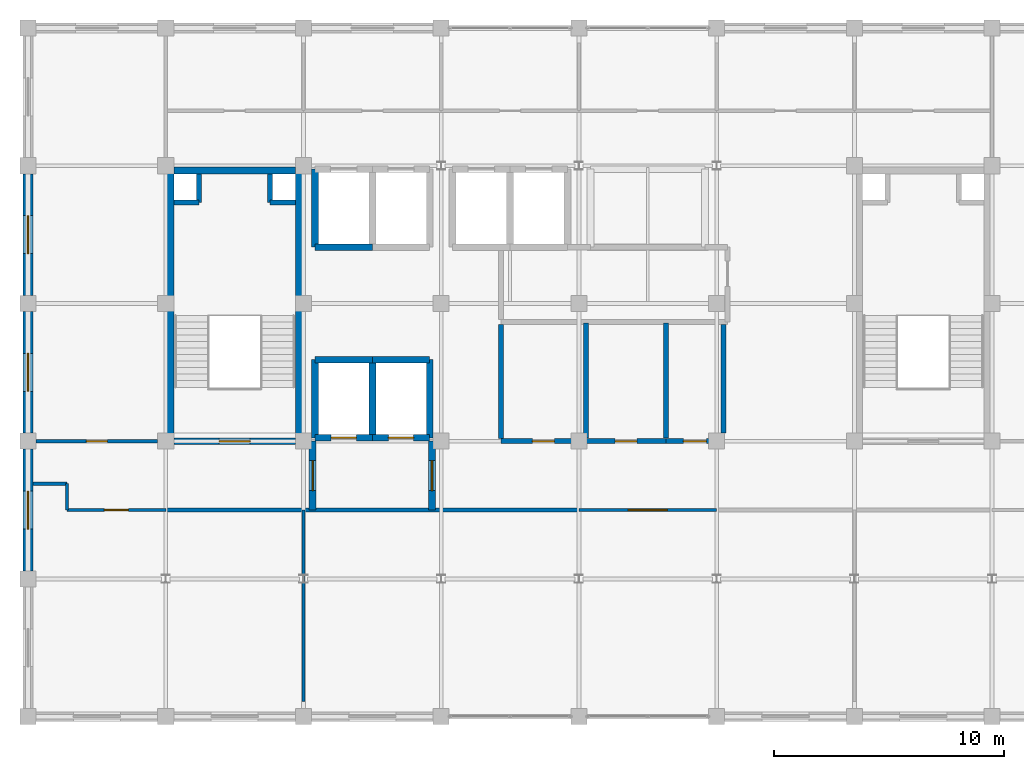
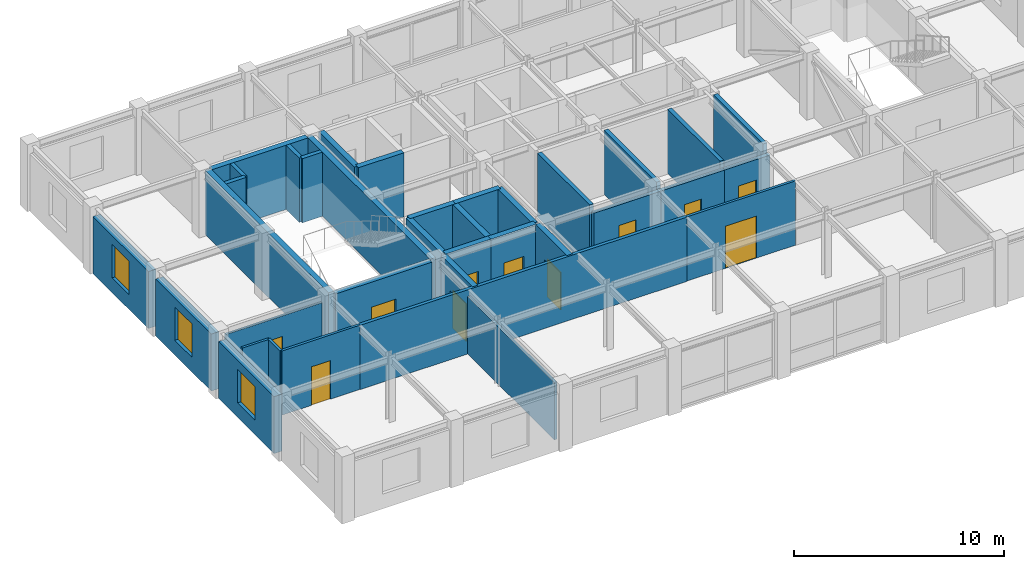
# One storey, part 9 of 13: 36 walls, 11 doors, 3 windows, 14 openings.
"""IFC4 building model written with IfcOpenShell, lengths in metres."""

import ifcopenshell
import ifcopenshell.guid

model = None  # the IFC model being written
_history = None  # IfcOwnerHistory: only IFC2X3 demands one
_inside = {}  # id of a spatial element -> (the spatial element, [elements in it])
_under = {}  # id of a project, library or spatial element -> (it, [spatial elements below it])
_declared = {}  # id of a project -> (the project, [libraries it declares])
_typed = {}  # id of a type object -> (the type object, [elements of that type])
_made_of = {}  # id of a material, layer set ... -> (it, [elements and type objects made of it])


def new_model(schema):
    """Start an empty IFC model of exactly this schema.

    Asked for "IFC4X3", IfcOpenShell would pick the latest addendum, in which some entities
    have other attributes; the version numbers below select the first issue.
    IFC2X3 requires an IfcOwnerHistory on every rooted entity: one is made here for all.
    """
    global model, _history
    if schema == "IFC4X3":
        model = ifcopenshell.file(schema_version=(4, 3, 0, 0))
    else:
        model = ifcopenshell.file(schema=schema)
    _inside.clear()
    _under.clear()
    _declared.clear()
    _typed.clear()
    _made_of.clear()
    _history = None
    if model.schema == "IFC2X3":
        org = make("IfcOrganization", Name="unknown")
        user = make(
            "IfcPersonAndOrganization",
            ThePerson=make("IfcPerson", FamilyName="unknown"),
            TheOrganization=org,
        )
        app = make(
            "IfcApplication",
            ApplicationDeveloper=org,
            Version="unknown",
            ApplicationFullName="unknown",
            ApplicationIdentifier="unknown",
        )
        _history = make(
            "IfcOwnerHistory",
            OwningUser=user,
            OwningApplication=app,
            ChangeAction="ADDED",
            CreationDate=0,
        )
    return model


def make(cls, **values):
    """One entity of the class cls with the attributes given. An attribute that is None is left unset."""
    return model.create_entity(
        cls, **{name: value for name, value in values.items() if value is not None}
    )


def rooted(cls, **values):
    """An entity with a GlobalId (a new one), such as an element, a storey or a relation."""
    return make(cls, GlobalId=ifcopenshell.guid.new(), OwnerHistory=_history, **values)


def si_unit(unit_type, name, prefix=None):
    """IfcSIUnit, for example si_unit("LENGTHUNIT", "METRE", prefix="MILLI")."""
    return make("IfcSIUnit", UnitType=unit_type, Prefix=prefix, Name=name)


def assignment(units):
    """IfcUnitAssignment: the units of a project."""
    return None if units is None else make("IfcUnitAssignment", Units=units)


def point(xyz):
    """IfcCartesianPoint."""
    return None if xyz is None else make("IfcCartesianPoint", Coordinates=xyz)


def direction(xyz):
    """IfcDirection."""
    return None if xyz is None else make("IfcDirection", DirectionRatios=xyz)


def frame(location, z_axis=None, x_axis=None):
    """IfcAxis2Placement3D, a coordinate frame: its origin and axes. An axis left out is left unset."""
    return make(
        "IfcAxis2Placement3D",
        Location=point(location),
        Axis=direction(z_axis),
        RefDirection=direction(x_axis),
    )


def frame_2d(location, x_axis=None):
    """IfcAxis2Placement2D, a coordinate frame in the plane: its origin and x axis."""
    return make(
        "IfcAxis2Placement2D", Location=point(location), RefDirection=direction(x_axis)
    )


def origin():
    """The frame at (0, 0, 0) with its axes left unset."""
    return frame((0.0, 0.0, 0.0))


def place(relative_to, where):
    """IfcLocalPlacement: puts the frame where relative to a parent placement (None: the world)."""
    return make(
        "IfcLocalPlacement", PlacementRelTo=relative_to, RelativePlacement=where
    )


def context(
    kind, dimensions, precision=None, world=None, true_north=None, identifier=None
):
    """IfcGeometricRepresentationContext, for example the 3D "Model" context."""
    return make(
        "IfcGeometricRepresentationContext",
        ContextIdentifier=identifier,
        ContextType=kind,
        CoordinateSpaceDimension=dimensions,
        Precision=precision,
        WorldCoordinateSystem=world,
        TrueNorth=true_north,
    )


def subcontext(parent, identifier, kind, view, scale=None):
    """IfcGeometricRepresentationSubContext, for example "Body" below "Model"."""
    return make(
        "IfcGeometricRepresentationSubContext",
        ContextIdentifier=identifier,
        ContextType=kind,
        ParentContext=parent,
        TargetScale=scale,
        TargetView=view,
    )


def project(units=None, contexts=None):
    """IfcProject with its units and contexts."""
    return rooted(
        "IfcProject",
        Name="project",
        RepresentationContexts=contexts,
        UnitsInContext=assignment(units),
    )


def spatial(cls, under=None, at=None, **own):
    """A site, building, storey or space (cls), placed at a placement, below another one or the project."""
    s = rooted(cls, ObjectPlacement=at, **own)
    if under is not None:
        _under.setdefault(under.id(), (under, []))[1].append(s)
    return s


def profile(cls, at=None, kind="AREA", **sizes):
    """A parametric profile (cls). Its sizes go by their IFC names, for example OverallWidth=200.0."""
    return make(cls, ProfileType=kind, Position=at, **sizes)


def rectangle(**sizes):
    """IfcRectangleProfileDef."""
    return profile("IfcRectangleProfileDef", **sizes)


def extrude(swept, where, along, depth):
    """IfcExtrudedAreaSolid: the profile swept, set in the frame where, extruded along a direction by depth."""
    return make(
        "IfcExtrudedAreaSolid",
        SweptArea=swept,
        Position=where,
        ExtrudedDirection=direction(along),
        Depth=depth,
    )


def shape(context_of_items, identifier, shape_type, items):
    """IfcShapeRepresentation: the items that make up one representation, for example the "Body"."""
    return make(
        "IfcShapeRepresentation",
        ContextOfItems=context_of_items,
        RepresentationIdentifier=identifier,
        RepresentationType=shape_type,
        Items=items,
    )


def material(Name=None, Category=None):
    """IfcMaterial."""
    return make("IfcMaterial", Name=Name, Category=Category)


def layer(
    of_material, thickness, ventilated=None, Name=None, Category=None, Priority=None
):
    """IfcMaterialLayer: one layer of a wall or slab, of a material (None: an air gap)."""
    return make(
        "IfcMaterialLayer",
        Material=of_material,
        LayerThickness=thickness,
        IsVentilated=ventilated,
        Name=Name,
        Category=Category,
        Priority=Priority,
    )


def layer_set(layers, Name=None):
    """IfcMaterialLayerSet."""
    return make("IfcMaterialLayerSet", MaterialLayers=layers, LayerSetName=Name)


def made_of(thing, what):
    """Note that an element or type object is made of a material, layer set ...; save() writes the relation."""
    if what is not None:
        _made_of.setdefault(what.id(), (what, []))[1].append(thing)
    return thing


def type_object(cls, material=None, **own):
    """A type object (cls), such as IfcWallType, which elements share."""
    return made_of(rooted(cls, **own), material)


def element(
    cls,
    number,
    at=None,
    inside=None,
    cuts=None,
    type_object=None,
    material=None,
    context=None,
    identifier="Body",
    shape_type=None,
    held_by="IfcProductDefinitionShape",
    body=None,
    shapes=None,
    **own,
):
    """One element of the class cls, such as IfcWall. Its Tag is "e" and its number.

    at: its placement. inside: the storey or other place that contains it. cuts: it is an
    opening in that element (IfcRelVoidsElement). A single representation is given by context,
    identifier, shape_type and body (its items); several are given by shapes. held_by: the class
    of the entity that holds the representations. save() writes the other relations.
    """
    e = rooted(cls, Tag="e%d" % number, ObjectPlacement=at, **own)
    if body is not None:
        shapes = [shape(context, identifier, shape_type, body)]
    if shapes is not None:
        e.Representation = make(held_by, Representations=shapes)
    if inside is not None:
        _inside.setdefault(inside.id(), (inside, []))[1].append(e)
    if cuts is not None:
        rooted(
            "IfcRelVoidsElement", RelatingBuildingElement=cuts, RelatedOpeningElement=e
        )
    if type_object is not None:
        _typed.setdefault(type_object.id(), (type_object, []))[1].append(e)
    return made_of(e, material)


def fill(opening, filler):
    """IfcRelFillsElement: the door or window that sits in an opening."""
    return rooted(
        "IfcRelFillsElement",
        RelatingOpeningElement=opening,
        RelatedBuildingElement=filler,
    )


def aggregate(whole, parts):
    """IfcRelAggregates: a whole, such as a stair, and the parts it consists of."""
    return rooted("IfcRelAggregates", RelatingObject=whole, RelatedObjects=parts)


def save(model, path):
    """Write the relations noted so far, then the file.

    IfcRelAggregates (storeys below a building ...), IfcRelContainedInSpatialStructure (elements
    in a storey), IfcRelDefinesByType, IfcRelAssociatesMaterial and IfcRelDeclares: one each for
    every whole, place, type object, material and project.
    """
    for whole, parts in _under.values():
        aggregate(whole, parts)
    for where, things in _inside.values():
        rooted(
            "IfcRelContainedInSpatialStructure",
            RelatedElements=things,
            RelatingStructure=where,
        )
    for kind, things in _typed.values():
        rooted("IfcRelDefinesByType", RelatedObjects=things, RelatingType=kind)
    for what, things in _made_of.values():
        rooted("IfcRelAssociatesMaterial", RelatedObjects=things, RelatingMaterial=what)
    for by, libraries in _declared.values():
        rooted("IfcRelDeclares", RelatingContext=by, RelatedDefinitions=libraries)
    model.write(path)


model = new_model("IFC4")

# Units and contexts
model_context = context("Model", 3, precision=1e-05, world=origin(), true_north=direction((0.0, 1.0)))
body_context = subcontext(model_context, "Body", "Model", "MODEL_VIEW")
ifc_project = project(units=[si_unit("LENGTHUNIT", "METRE"), si_unit("AREAUNIT", "SQUARE_METRE"), si_unit("VOLUMEUNIT", "CUBIC_METRE"), si_unit("PLANEANGLEUNIT", "RADIAN"), si_unit("MASSUNIT", "GRAM", prefix="KILO")], contexts=[model_context])

# Site, building, storey
site_placement = place(None, origin())
site = spatial("IfcSite", under=ifc_project, at=site_placement, CompositionType="ELEMENT")
building_placement = place(site_placement, origin())
building = spatial("IfcBuilding", under=site, at=building_placement, Name="Zlatovratsky Civic Hall", CompositionType="ELEMENT")
storey_placement = place(building_placement, frame((0.0, 0.0, 44.39990234375)))
storey = spatial("IfcBuildingStorey", under=building, at=storey_placement, Name="L11", CompositionType="ELEMENT", Elevation=44.39990234375)

# Wall
ifc_material_1 = material(Name="Acoustic ceramic blockwork", Category="masonry")
ifc_layer_1 = layer(ifc_material_1, 0.179931640625)
ifc_layer_set_1 = layer_set([ifc_layer_1], Name="Acoustic ceramic blockwork")
wall_type_1 = type_object("IfcWallType", Name="Wall_AcousticChamberPartition_180", PredefinedType="PARTITIONING", material=ifc_layer_set_1)
wall_1_placement = place(storey_placement, frame((66.0, 81.0, 0.0), z_axis=(0.0, 0.0, 1.0), x_axis=(1.0, 0.0, 0.0)))
element("IfcWall", 1, at=wall_1_placement, inside=storey, type_object=wall_type_1, Name="WL-6556", PredefinedType="PARTITIONING", context=body_context, shape_type="SweptSolid", body=[
    extrude(rectangle(XDim=18.0, YDim=0.179931640625, at=frame_2d((9.0, 0.0))), origin(), (0.0, 0.0, 1.0), 3.739990234375),
])

# Wall, opening, door
ifc_material_2 = material(Name="Fire-rated gypsum board framing", Category="gypsum")
ifc_layer_2 = layer(ifc_material_2, 0.139892578125)
ifc_layer_set_2 = layer_set([ifc_layer_2], Name="Fire-rated gypsum board framing")
wall_type_2 = type_object("IfcWallType", Name="Wall_OfficePartition_140", PredefinedType="PARTITIONING", material=ifc_layer_set_2)
wall_2_placement = place(storey_placement, frame((61.699951171875, 81.0, 0.0), z_axis=(0.0, 0.0, 1.0), x_axis=(1.0, 0.0, 0.0)))
wall_2 = element("IfcWall", 2, at=wall_2_placement, inside=storey, type_object=wall_type_2, Name="WL-6532", PredefinedType="PARTITIONING", context=body_context, shape_type="SweptSolid", body=[
    extrude(rectangle(XDim=4.300048828125, YDim=0.139892578125, at=frame_2d((2.14990234375, 0.0))), origin(), (0.0, 0.0, 1.0), 3.739990234375),
])
opening_1_placement = place(wall_2_placement, frame((1.625, 0.0, 0.0)))
opening_1 = element("IfcOpeningElement", 3, at=opening_1_placement, cuts=wall_2, Name="Opening D-24", PredefinedType="OPENING", context=body_context, shape_type="SweptSolid", body=[
    extrude(rectangle(XDim=1.050048828125, YDim=2.25, at=frame_2d((0.52490234375, 1.125))), frame((0.0, 0.0849609375, 0.0), z_axis=(0.0, -1.0, 0.0), x_axis=(1.0, 0.0, 0.0)), (0.0, 0.0, 1.0), 0.169677734375),
])
ifc_material_3 = material(Name="Solid oak joinery in steel frame", Category="steel")
door_type_1 = type_object("IfcDoorType", Name="Door_DirectorateOffice_1050x2250", OperationType="NOTDEFINED", PredefinedType="DOOR", material=ifc_material_3)
door_1_placement = place(opening_1_placement, origin())
door_1 = element("IfcDoor", 4, at=door_1_placement, inside=storey, type_object=door_type_1, Name="DR-5456", OperationType="SINGLE_SWING_LEFT", OverallHeight=2.25, OverallWidth=1.050048828125, PredefinedType="DOOR", context=body_context, shape_type="SweptSolid", body=[
    extrude(rectangle(XDim=1.050048828125, YDim=2.25, at=frame_2d((0.52490234375, 1.125))), frame((0.0, 0.02490234375, 0.0), z_axis=(0.0, -1.0, 0.0), x_axis=(1.0, 0.0, 0.0)), (0.0, 0.0, 1.0), 0.050048828125),
])
fill(opening_1, door_1)

wall_3_placement = place(storey_placement, frame((84.0, 81.0, 0.0), z_axis=(0.0, 0.0, 1.0), x_axis=(1.0, 0.0, 0.0)))
wall_3 = element("IfcWall", 5, at=wall_3_placement, inside=storey, type_object=wall_type_2, Name="WL-6533", PredefinedType="PARTITIONING", context=body_context, shape_type="SweptSolid", body=[
    extrude(rectangle(XDim=6.0, YDim=0.139892578125, at=frame_2d((3.0, 0.0))), origin(), (0.0, 0.0, 1.0), 3.739990234375),
])
opening_2_placement = place(wall_3_placement, frame((2.14990234375, 0.0, 0.0)))
opening_2 = element("IfcOpeningElement", 6, at=opening_2_placement, cuts=wall_3, Name="Opening D-26", PredefinedType="OPENING", context=body_context, shape_type="SweptSolid", body=[
    extrude(rectangle(XDim=1.699951171875, YDim=2.449951171875, at=frame_2d((0.85009765625, 1.22509765625))), frame((0.0, 0.0849609375, 0.0), z_axis=(0.0, -1.0, 0.0), x_axis=(1.0, 0.0, 0.0)), (0.0, 0.0, 1.0), 0.169677734375),
])
door_type_2 = type_object("IfcDoorType", Name="Door_CommissionBoardroom_1700x2450", OperationType="DOUBLE_DOOR_SINGLE_SWING", PredefinedType="DOOR", material=ifc_material_3)
door_2_placement = place(opening_2_placement, origin())
door_2 = element("IfcDoor", 7, at=door_2_placement, inside=storey, type_object=door_type_2, Name="DR-5457", OperationType="DOUBLE_DOOR_SINGLE_SWING", OverallHeight=2.449951171875, OverallWidth=1.699951171875, PredefinedType="DOOR", context=body_context, shape_type="SweptSolid", body=[
    extrude(rectangle(XDim=1.699951171875, YDim=2.449951171875, at=frame_2d((0.85009765625, 1.22509765625))), frame((0.0, 0.02490234375, 0.0), z_axis=(0.0, -1.0, 0.0), x_axis=(1.0, 0.0, 0.0)), (0.0, 0.0, 1.0), 0.050048828125),
])
fill(opening_2, door_2)

wall_4_placement = place(storey_placement, frame((60.35009765625, 84.0, 0.0), z_axis=(0.0, 0.0, 1.0), x_axis=(1.0, 0.0, 0.0)))
wall_4 = element("IfcWall", 8, at=wall_4_placement, inside=storey, type_object=wall_type_2, Name="WL-6535", PredefinedType="PARTITIONING", context=body_context, shape_type="SweptSolid", body=[
    extrude(rectangle(XDim=5.2998046875, YDim=0.139892578125, at=frame_2d((2.64990234375, 0.0))), origin(), (0.0, 0.0, 1.0), 3.34814453125),
])
opening_3_placement = place(wall_4_placement, frame((2.18994140625, 0.0, 0.0)))
opening_3 = element("IfcOpeningElement", 9, at=opening_3_placement, cuts=wall_4, Name="Opening D-23", PredefinedType="OPENING", context=body_context, shape_type="SweptSolid", body=[
    extrude(rectangle(XDim=0.919921875, YDim=2.14990234375, at=frame_2d((0.4599609375, 1.074951171875))), frame((0.0, 0.0849609375, 0.0), z_axis=(0.0, -1.0, 0.0), x_axis=(1.0, 0.0, 0.0)), (0.0, 0.0, 1.0), 0.169677734375),
])
door_type_3 = type_object("IfcDoorType", Name="Door_OfficeStandard_920x2150", OperationType="NOTDEFINED", PredefinedType="DOOR", material=ifc_material_3)
door_3_placement = place(opening_3_placement, origin())
door_3 = element("IfcDoor", 10, at=door_3_placement, inside=storey, type_object=door_type_3, Name="DR-5459", OperationType="SINGLE_SWING_LEFT", OverallHeight=2.14990234375, OverallWidth=0.919921875, PredefinedType="DOOR", context=body_context, shape_type="SweptSolid", body=[
    extrude(rectangle(XDim=0.919921875, YDim=2.14990234375, at=frame_2d((0.4599609375, 1.074951171875))), frame((0.0, 0.02490234375, 0.0), z_axis=(0.0, -1.0, 0.0), x_axis=(1.0, 0.0, 0.0)), (0.0, 0.0, 1.0), 0.050048828125),
])
fill(opening_3, door_3)

# Walls
wall_5_placement = place(storey_placement, frame((72.0, 72.64990234375, 0.0), z_axis=(0.0, 0.0, 1.0), x_axis=(0.0, 1.0, 0.0)))
element("IfcWall", 11, at=wall_5_placement, inside=storey, type_object=wall_type_2, Name="WL-6543", PredefinedType="PARTITIONING", context=body_context, shape_type="SweptSolid", body=[
    extrude(rectangle(XDim=8.35009765625, YDim=0.139892578125, at=frame_2d((4.175048828125, 0.0))), origin(), (0.0, 0.0, 1.0), 3.34814453125),
])
wall_6_placement = place(storey_placement, frame((61.699951171875, 81.0, 0.0), z_axis=(0.0, 0.0, 1.0), x_axis=(0.0, 1.0, 0.0)))
element("IfcWall", 12, at=wall_6_placement, inside=storey, type_object=wall_type_2, Name="WL-6558", PredefinedType="PARTITIONING", context=body_context, shape_type="SweptSolid", body=[
    extrude(rectangle(XDim=1.14990234375, YDim=0.139892578125, at=frame_2d((0.574951171875, 0.0))), origin(), (0.0, 0.0, 1.0), 3.739990234375),
])
wall_7_placement = place(storey_placement, frame((61.699951171875, 82.14990234375, 0.0), z_axis=(0.0, 0.0, 1.0), x_axis=(-1.0, 0.0, 0.0)))
element("IfcWall", 13, at=wall_7_placement, inside=storey, type_object=wall_type_2, Name="WL-6559", PredefinedType="PARTITIONING", context=body_context, shape_type="SweptSolid", body=[
    extrude(rectangle(XDim=1.489990234375, YDim=0.139892578125, at=frame_2d((0.7451171875, 0.0))), origin(), (0.0, 0.0, 1.0), 3.739990234375),
])
ifc_layer_3 = layer(ifc_material_1, 0.219970703125)
ifc_layer_set_3 = layer_set([ifc_layer_3], Name="Acoustic ceramic blockwork")
wall_type_3 = type_object("IfcWallType", Name="Wall_SanitaryWetCore_220", PredefinedType="PARTITIONING", material=ifc_layer_set_3)
wall_8_placement = place(storey_placement, frame((67.449951171875, 94.39990234375, 0.0), z_axis=(0.0, 0.0, 1.0), x_axis=(0.0, 1.0, 0.0)))
element("IfcWall", 14, at=wall_8_placement, inside=storey, type_object=wall_type_3, Name="WL-5093", PredefinedType="PARTITIONING", context=body_context, shape_type="SweptSolid", body=[
    extrude(rectangle(XDim=1.25, YDim=0.219970703125, at=frame_2d((0.625, 0.0))), origin(), (0.0, 0.0, 1.0), 3.739990234375),
])
wall_9_placement = place(storey_placement, frame((66.35009765625, 94.39990234375, 0.0), z_axis=(0.0, 0.0, 1.0), x_axis=(1.0, 0.0, 0.0)))
element("IfcWall", 15, at=wall_9_placement, inside=storey, type_object=wall_type_3, Name="WL-5094", PredefinedType="PARTITIONING", context=body_context, shape_type="SweptSolid", body=[
    extrude(rectangle(XDim=1.099853515625, YDim=0.219970703125, at=frame_2d((0.5498046875, 0.0))), origin(), (0.0, 0.0, 1.0), 3.739990234375),
])
wall_10_placement = place(storey_placement, frame((70.550048828125, 94.39990234375, 0.0), z_axis=(0.0, 0.0, 1.0), x_axis=(0.0, 1.0, 0.0)))
element("IfcWall", 16, at=wall_10_placement, inside=storey, type_object=wall_type_3, Name="WL-5095", PredefinedType="PARTITIONING", context=body_context, shape_type="SweptSolid", body=[
    extrude(rectangle(XDim=1.25, YDim=0.219970703125, at=frame_2d((0.625, 0.0))), origin(), (0.0, 0.0, 1.0), 3.739990234375),
])
wall_11_placement = place(storey_placement, frame((70.550048828125, 94.39990234375, 0.0), z_axis=(0.0, 0.0, 1.0), x_axis=(1.0, 0.0, 0.0)))
element("IfcWall", 17, at=wall_11_placement, inside=storey, type_object=wall_type_3, Name="WL-5096", PredefinedType="PARTITIONING", context=body_context, shape_type="SweptSolid", body=[
    extrude(rectangle(XDim=1.099853515625, YDim=0.219970703125, at=frame_2d((0.5498046875, 0.0))), origin(), (0.0, 0.0, 1.0), 3.739990234375),
])

# Wall, opening, door
wall_12_placement = place(storey_placement, frame((80.60009765625, 84.0, 0.0), z_axis=(0.0, 0.0, 1.0), x_axis=(1.0, 0.0, 0.0)))
wall_12 = element("IfcWall", 18, at=wall_12_placement, inside=storey, type_object=wall_type_3, Name="WL-6525", PredefinedType="PARTITIONING", context=body_context, shape_type="SweptSolid", body=[
    extrude(rectangle(XDim=3.699951171875, YDim=0.219970703125, at=frame_2d((1.85009765625, 0.0))), origin(), (0.0, 0.0, 1.0), 3.34814453125),
])
opening_4_placement = place(wall_12_placement, frame((1.375, 0.0, 0.0)))
opening_4 = element("IfcOpeningElement", 19, at=opening_4_placement, cuts=wall_12, Name="Opening D-21", PredefinedType="OPENING", context=body_context, shape_type="SweptSolid", body=[
    extrude(rectangle(XDim=0.949951171875, YDim=2.14990234375, at=frame_2d((0.47509765625, 1.074951171875))), frame((0.0, 0.125, 0.0), z_axis=(0.0, -1.0, 0.0), x_axis=(1.0, 0.0, 0.0)), (0.0, 0.0, 1.0), 0.249755859375),
])
door_type_4 = type_object("IfcDoorType", Name="Door_MensWC_950x2150", OperationType="NOTDEFINED", PredefinedType="DOOR", material=ifc_material_3)
door_4_placement = place(opening_4_placement, origin())
door_4 = element("IfcDoor", 20, at=door_4_placement, inside=storey, type_object=door_type_4, Name="DR-5452", OperationType="SINGLE_SWING_LEFT", OverallHeight=2.14990234375, OverallWidth=0.949951171875, PredefinedType="DOOR", context=body_context, shape_type="SweptSolid", body=[
    extrude(rectangle(XDim=0.949951171875, YDim=2.14990234375, at=frame_2d((0.47509765625, 1.074951171875))), frame((0.0, 0.02490234375, 0.0), z_axis=(0.0, -1.0, 0.0), x_axis=(1.0, 0.0, 0.0)), (0.0, 0.0, 1.0), 0.050048828125),
])
fill(opening_4, door_4)

wall_13_placement = place(storey_placement, frame((84.300048828125, 84.0, 0.0), z_axis=(0.0, 0.0, 1.0), x_axis=(1.0, 0.0, 0.0)))
wall_13 = element("IfcWall", 21, at=wall_13_placement, inside=storey, type_object=wall_type_3, Name="WL-6526", PredefinedType="PARTITIONING", context=body_context, shape_type="SweptSolid", body=[
    extrude(rectangle(XDim=3.5, YDim=0.219970703125, at=frame_2d((1.75, 0.0))), origin(), (0.0, 0.0, 1.0), 3.34814453125),
])
opening_5_placement = place(wall_13_placement, frame((1.27490234375, 0.0, 0.0)))
opening_5 = element("IfcOpeningElement", 22, at=opening_5_placement, cuts=wall_13, Name="Opening D-22", PredefinedType="OPENING", context=body_context, shape_type="SweptSolid", body=[
    extrude(rectangle(XDim=0.949951171875, YDim=2.10009765625, at=frame_2d((0.47509765625, 1.050048828125))), frame((0.0, 0.125, 0.0), z_axis=(0.0, -1.0, 0.0), x_axis=(1.0, 0.0, 0.0)), (0.0, 0.0, 1.0), 0.249755859375),
])
door_type_5 = type_object("IfcDoorType", Name="Door_WomensWC_950x2100", OperationType="NOTDEFINED", PredefinedType="DOOR", material=ifc_material_3)
door_5_placement = place(opening_5_placement, origin())
door_5 = element("IfcDoor", 23, at=door_5_placement, inside=storey, type_object=door_type_5, Name="DR-5453", OperationType="SINGLE_SWING_RIGHT", OverallHeight=2.10009765625, OverallWidth=0.949951171875, PredefinedType="DOOR", context=body_context, shape_type="SweptSolid", body=[
    extrude(rectangle(XDim=0.949951171875, YDim=2.10009765625, at=frame_2d((0.47509765625, 1.050048828125))), frame((0.0, 0.02490234375, 0.0), z_axis=(0.0, -1.0, 0.0), x_axis=(1.0, 0.0, 0.0)), (0.0, 0.0, 1.0), 0.050048828125),
])
fill(opening_5, door_5)

wall_14_placement = place(storey_placement, frame((87.800048828125, 84.0, 0.0), z_axis=(0.0, 0.0, 1.0), x_axis=(1.0, 0.0, 0.0)))
wall_14 = element("IfcWall", 24, at=wall_14_placement, inside=storey, type_object=wall_type_3, Name="WL-6527", PredefinedType="PARTITIONING", context=body_context, shape_type="SweptSolid", body=[
    extrude(rectangle(XDim=2.5, YDim=0.219970703125, at=frame_2d((1.25, 0.0))), origin(), (0.0, 0.0, 1.0), 3.34814453125),
])
opening_6_placement = place(wall_14_placement, frame((0.75, 0.0, 0.0)))
opening_6 = element("IfcOpeningElement", 25, at=opening_6_placement, cuts=wall_14, Name="Opening D-20", PredefinedType="OPENING", context=body_context, shape_type="SweptSolid", body=[
    extrude(rectangle(XDim=1.0, YDim=2.14990234375, at=frame_2d((0.5, 1.074951171875))), frame((0.0, 0.125, 0.0), z_axis=(0.0, -1.0, 0.0), x_axis=(1.0, 0.0, 0.0)), (0.0, 0.0, 1.0), 0.249755859375),
])
door_type_6 = type_object("IfcDoorType", Name="Door_AccessibleWC_1000x2150", OperationType="NOTDEFINED", PredefinedType="DOOR", material=ifc_material_3)
door_6_placement = place(opening_6_placement, origin())
door_6 = element("IfcDoor", 26, at=door_6_placement, inside=storey, type_object=door_type_6, Name="DR-5454", OperationType="SINGLE_SWING_LEFT", OverallHeight=2.14990234375, OverallWidth=1.0, PredefinedType="DOOR", context=body_context, shape_type="SweptSolid", body=[
    extrude(rectangle(XDim=1.0, YDim=2.14990234375, at=frame_2d((0.5, 1.074951171875))), frame((0.0, 0.02490234375, 0.0), z_axis=(0.0, -1.0, 0.0), x_axis=(1.0, 0.0, 0.0)), (0.0, 0.0, 1.0), 0.050048828125),
])
fill(opening_6, door_6)

# Walls
for number, where, z_axis, x_axis, name in (
    (27, (84.300048828125, 84.14990234375, 0.0), (0.0, 0.0, 1.0), (0.0, 1.0, 0.0), "WL-6528"),
    (28, (87.800048828125, 84.14990234375, 0.0), (0.0, 0.0, 1.0), (0.0, 1.0, 0.0), "WL-6529"),
):
    element("IfcWall", number, at=place(storey_placement, frame(where, z_axis=z_axis, x_axis=x_axis)), inside=storey, type_object=wall_type_3, Name=name, PredefinedType="PARTITIONING", context=body_context, shape_type="SweptSolid", body=[
        extrude(rectangle(XDim=5.0, YDim=0.219970703125, at=frame_2d((2.5, 0.0))), origin(), (0.0, 0.0, 1.0), 3.739990234375),
    ])
wall_15_placement = place(storey_placement, frame((80.60009765625, 84.110107421875, 0.0), z_axis=(0.0, 0.0, 1.0), x_axis=(0.0, 1.0, 0.0)))
element("IfcWall", 29, at=wall_15_placement, inside=storey, type_object=wall_type_3, Name="WL-6550", PredefinedType="PARTITIONING", context=body_context, shape_type="SweptSolid", body=[
    extrude(rectangle(XDim=4.97998046875, YDim=0.219970703125, at=frame_2d((2.489990234375, 0.0))), origin(), (0.0, 0.0, 1.0), 3.739990234375),
])
wall_16_placement = place(storey_placement, frame((90.300048828125, 84.360107421875, 0.0), z_axis=(0.0, 0.0, 1.0), x_axis=(0.0, 1.0, 0.0)))
element("IfcWall", 30, at=wall_16_placement, inside=storey, type_object=wall_type_3, Name="WL-6551", PredefinedType="PARTITIONING", context=body_context, shape_type="SweptSolid", body=[
    extrude(rectangle(XDim=4.72998046875, YDim=0.219970703125, at=frame_2d((2.364990234375, 0.0))), origin(), (0.0, 0.0, 1.0), 3.739990234375),
])

# Wall, opening, door
ifc_material_4 = material(Name="Concrete C35/45 (B40)", Category="concrete")
ifc_layer_4 = layer(ifc_material_4, 0.300048828125)
ifc_layer_set_4 = layer_set([ifc_layer_4], Name="Concrete C35/45 (B40)")
wall_type_4 = type_object("IfcWallType", Name="Wall_StairAndLiftShaft_300", PredefinedType="SHEAR", material=ifc_layer_set_4)
wall_17_placement = place(storey_placement, frame((66.35009765625, 84.0, 0.0), z_axis=(0.0, 0.0, 1.0), x_axis=(1.0, 0.0, 0.0)))
wall_17 = element("IfcWall", 31, at=wall_17_placement, inside=storey, type_object=wall_type_4, Name="WL-5089", PredefinedType="SHEAR", context=body_context, shape_type="SweptSolid", body=[
    extrude(rectangle(XDim=5.2998046875, YDim=0.300048828125, at=frame_2d((2.64990234375, 0.0))), origin(), (0.0, 0.0, 1.0), 3.66015625),
])
opening_7_placement = place(wall_17_placement, frame((1.97509765625, 0.0, 0.0)))
opening_7 = element("IfcOpeningElement", 32, at=opening_7_placement, cuts=wall_17, Name="Opening D-17", PredefinedType="OPENING", context=body_context, shape_type="SweptSolid", body=[
    extrude(rectangle(XDim=1.35009765625, YDim=2.199951171875, at=frame_2d((0.675048828125, 1.10009765625))), frame((0.0, 0.1650390625, 0.0), z_axis=(0.0, -1.0, 0.0), x_axis=(1.0, 0.0, 0.0)), (0.0, 0.0, 1.0), 0.329833984375),
])
ifc_material_5 = material(Name="Insulated painted fire-rated steel leaf", Category="steel")
door_type_7 = type_object("IfcDoorType", Name="Door_StairwellFireTower_1350x2200", OperationType="NOTDEFINED", PredefinedType="DOOR", material=ifc_material_5)
door_7_placement = place(opening_7_placement, origin())
door_7 = element("IfcDoor", 33, at=door_7_placement, inside=storey, type_object=door_type_7, Name="DR-5012", OperationType="SINGLE_SWING_LEFT", OverallHeight=2.199951171875, OverallWidth=1.35009765625, PredefinedType="DOOR", context=body_context, shape_type="SweptSolid", body=[
    extrude(rectangle(XDim=1.35009765625, YDim=2.199951171875, at=frame_2d((0.675048828125, 1.10009765625))), frame((0.0, 0.02490234375, 0.0), z_axis=(0.0, -1.0, 0.0), x_axis=(1.0, 0.0, 0.0)), (0.0, 0.0, 1.0), 0.050048828125),
])
fill(opening_7, door_7)

# Walls
wall_18_placement = place(storey_placement, frame((66.35009765625, 95.800048828125, 0.0), z_axis=(0.0, 0.0, 1.0), x_axis=(1.0, 0.0, 0.0)))
element("IfcWall", 34, at=wall_18_placement, inside=storey, type_object=wall_type_4, Name="WL-5090", PredefinedType="SHEAR", context=body_context, shape_type="SweptSolid", body=[
    extrude(rectangle(XDim=5.2998046875, YDim=0.300048828125, at=frame_2d((2.64990234375, 0.0))), origin(), (0.0, 0.0, 1.0), 3.739990234375),
])
for number, where, z_axis, x_axis, name in (
    (35, (66.199951171875, 84.0, 0.0), (0.0, 0.0, 1.0), (0.0, 1.0, 0.0), "WL-5091"),
    (36, (71.800048828125, 84.0, 0.0), (0.0, 0.0, 1.0), (0.0, 1.0, 0.0), "WL-5092"),
):
    element("IfcWall", number, at=place(storey_placement, frame(where, z_axis=z_axis, x_axis=x_axis)), inside=storey, type_object=wall_type_4, Name=name, PredefinedType="SHEAR", context=body_context, shape_type="SweptSolid", body=[
        extrude(rectangle(XDim=11.800048828125, YDim=0.300048828125, at=frame_2d((5.89990234375, 0.0))), origin(), (0.0, 0.0, 1.0), 3.739990234375),
    ])

# Wall, opening, door
wall_19_placement = place(storey_placement, frame((72.5, 84.14990234375, 0.0), z_axis=(0.0, 0.0, 1.0), x_axis=(1.0, 0.0, 0.0)))
wall_19 = element("IfcWall", 37, at=wall_19_placement, inside=storey, type_object=wall_type_4, Name="WL-5526", PredefinedType="SHEAR", context=body_context, shape_type="SweptSolid", body=[
    extrude(rectangle(XDim=2.5, YDim=0.300048828125, at=frame_2d((1.25, 0.0))), origin(), (0.0, 0.0, 1.0), 3.739990234375),
])
opening_8_placement = place(wall_19_placement, frame((0.699951171875, 0.0, 0.0)))
opening_8 = element("IfcOpeningElement", 38, at=opening_8_placement, cuts=wall_19, Name="Opening LD-01", PredefinedType="OPENING", context=body_context, shape_type="SweptSolid", body=[
    extrude(rectangle(XDim=1.10009765625, YDim=2.10009765625, at=frame_2d((0.550048828125, 1.050048828125))), frame((0.0, 0.1650390625, 0.0), z_axis=(0.0, -1.0, 0.0), x_axis=(1.0, 0.0, 0.0)), (0.0, 0.0, 1.0), 0.329833984375),
])
ifc_material_6 = material(Name="Brushed stainless steel AISI 304", Category="steel")
door_type_8 = type_object("IfcDoorType", Name="Door_LiftLandingFire_1100x2100", OperationType="DOUBLE_DOOR_SLIDING", PredefinedType="DOOR", material=ifc_material_6)
door_8_placement = place(opening_8_placement, origin())
door_8 = element("IfcDoor", 39, at=door_8_placement, inside=storey, type_object=door_type_8, Name="Lift landing door LD-5070", OperationType="DOUBLE_DOOR_SLIDING", OverallHeight=2.10009765625, OverallWidth=1.10009765625, PredefinedType="DOOR", context=body_context, shape_type="SweptSolid", body=[
    extrude(rectangle(XDim=1.10009765625, YDim=2.10009765625, at=frame_2d((0.550048828125, 1.050048828125))), frame((0.0, 0.02490234375, 0.0), z_axis=(0.0, -1.0, 0.0), x_axis=(1.0, 0.0, 0.0)), (0.0, 0.0, 1.0), 0.050048828125),
])
fill(opening_8, door_8)

# Walls
wall_20_placement = place(storey_placement, frame((72.5, 87.550048828125, 0.0), z_axis=(0.0, 0.0, 1.0), x_axis=(1.0, 0.0, 0.0)))
element("IfcWall", 40, at=wall_20_placement, inside=storey, type_object=wall_type_4, Name="WL-5527", PredefinedType="SHEAR", context=body_context, shape_type="SweptSolid", body=[
    extrude(rectangle(XDim=2.5, YDim=0.300048828125, at=frame_2d((1.25, 0.0))), origin(), (0.0, 0.0, 1.0), 3.739990234375),
])
wall_21_placement = place(storey_placement, frame((72.5, 84.14990234375, 0.0), z_axis=(0.0, 0.0, 1.0), x_axis=(0.0, 1.0, 0.0)))
element("IfcWall", 41, at=wall_21_placement, inside=storey, type_object=wall_type_4, Name="WL-5528", PredefinedType="SHEAR", context=body_context, shape_type="SweptSolid", body=[
    extrude(rectangle(XDim=3.400146484375, YDim=0.300048828125, at=frame_2d((1.7001953125, 0.0))), origin(), (0.0, 0.0, 1.0), 3.739990234375),
])

# Wall, opening, door
wall_22_placement = place(storey_placement, frame((75.0, 84.14990234375, 0.0), z_axis=(0.0, 0.0, 1.0), x_axis=(1.0, 0.0, 0.0)))
wall_22 = element("IfcWall", 42, at=wall_22_placement, inside=storey, type_object=wall_type_4, Name="WL-5594", PredefinedType="SHEAR", context=body_context, shape_type="SweptSolid", body=[
    extrude(rectangle(XDim=2.5, YDim=0.300048828125, at=frame_2d((1.25, 0.0))), origin(), (0.0, 0.0, 1.0), 3.739990234375),
])
opening_9_placement = place(wall_22_placement, frame((0.699951171875, 0.0, 0.0)))
opening_9 = element("IfcOpeningElement", 43, at=opening_9_placement, cuts=wall_22, Name="Opening LD-01", PredefinedType="OPENING", context=body_context, shape_type="SweptSolid", body=[
    extrude(rectangle(XDim=1.10009765625, YDim=2.10009765625, at=frame_2d((0.550048828125, 1.050048828125))), frame((0.0, 0.1650390625, 0.0), z_axis=(0.0, -1.0, 0.0), x_axis=(1.0, 0.0, 0.0)), (0.0, 0.0, 1.0), 0.329833984375),
])
door_9_placement = place(opening_9_placement, origin())
door_9 = element("IfcDoor", 44, at=door_9_placement, inside=storey, type_object=door_type_8, Name="Lift landing door LD-5089", OperationType="DOUBLE_DOOR_SLIDING", OverallHeight=2.10009765625, OverallWidth=1.10009765625, PredefinedType="DOOR", context=body_context, shape_type="SweptSolid", body=[
    extrude(rectangle(XDim=1.10009765625, YDim=2.10009765625, at=frame_2d((0.550048828125, 1.050048828125))), frame((0.0, 0.02490234375, 0.0), z_axis=(0.0, -1.0, 0.0), x_axis=(1.0, 0.0, 0.0)), (0.0, 0.0, 1.0), 0.050048828125),
])
fill(opening_9, door_9)

# Walls
wall_23_placement = place(storey_placement, frame((75.0, 87.550048828125, 0.0), z_axis=(0.0, 0.0, 1.0), x_axis=(1.0, 0.0, 0.0)))
element("IfcWall", 45, at=wall_23_placement, inside=storey, type_object=wall_type_4, Name="WL-5595", PredefinedType="SHEAR", context=body_context, shape_type="SweptSolid", body=[
    extrude(rectangle(XDim=2.5, YDim=0.300048828125, at=frame_2d((1.25, 0.0))), origin(), (0.0, 0.0, 1.0), 3.739990234375),
])
for number, where, z_axis, x_axis, name in (
    (46, (75.0, 84.14990234375, 0.0), (0.0, 0.0, 1.0), (0.0, 1.0, 0.0), "WL-5596"),
    (47, (77.5, 84.14990234375, 0.0), (0.0, 0.0, 1.0), (0.0, 1.0, 0.0), "WL-5597"),
):
    element("IfcWall", number, at=place(storey_placement, frame(where, z_axis=z_axis, x_axis=x_axis)), inside=storey, type_object=wall_type_4, Name=name, PredefinedType="SHEAR", context=body_context, shape_type="SweptSolid", body=[
        extrude(rectangle(XDim=3.400146484375, YDim=0.300048828125, at=frame_2d((1.7001953125, 0.0))), origin(), (0.0, 0.0, 1.0), 3.739990234375),
    ])
wall_24_placement = place(storey_placement, frame((72.5, 92.449951171875, 0.0), z_axis=(0.0, 0.0, 1.0), x_axis=(1.0, 0.0, 0.0)))
element("IfcWall", 48, at=wall_24_placement, inside=storey, type_object=wall_type_4, Name="WL-5660", PredefinedType="SHEAR", context=body_context, shape_type="SweptSolid", body=[
    extrude(rectangle(XDim=2.5, YDim=0.300048828125, at=frame_2d((1.25, 0.0))), origin(), (0.0, 0.0, 1.0), 3.739990234375),
])
wall_25_placement = place(storey_placement, frame((72.5, 92.449951171875, 0.0), z_axis=(0.0, 0.0, 1.0), x_axis=(0.0, 1.0, 0.0)))
element("IfcWall", 49, at=wall_25_placement, inside=storey, type_object=wall_type_4, Name="WL-5661", PredefinedType="SHEAR", context=body_context, shape_type="SweptSolid", body=[
    extrude(rectangle(XDim=3.400146484375, YDim=0.300048828125, at=frame_2d((1.7001953125, 0.0))), origin(), (0.0, 0.0, 1.0), 3.739990234375),
])

# Wall, opening, door
wall_26_placement = place(storey_placement, frame((72.39990234375, 81.0, 0.0), z_axis=(0.0, 0.0, 1.0), x_axis=(0.0, 1.0, 0.0)))
wall_26 = element("IfcWall", 50, at=wall_26_placement, inside=storey, type_object=wall_type_4, Name="WL-6523", PredefinedType="SHEAR", context=body_context, shape_type="SweptSolid", body=[
    extrude(rectangle(XDim=3.0, YDim=0.300048828125, at=frame_2d((1.5, 0.0))), origin(), (0.0, 0.0, 1.0), 3.739990234375),
])
opening_10_placement = place(wall_26_placement, frame((0.85009765625, 0.0, 0.0)))
opening_10 = element("IfcOpeningElement", 51, at=opening_10_placement, cuts=wall_26, Name="Opening D-18", PredefinedType="OPENING", context=body_context, shape_type="SweptSolid", body=[
    extrude(rectangle(XDim=1.300048828125, YDim=2.199951171875, at=frame_2d((0.64990234375, 1.10009765625))), frame((0.0, 0.1650390625, 0.0), z_axis=(0.0, -1.0, 0.0), x_axis=(1.0, 0.0, 0.0)), (0.0, 0.0, 1.0), 0.329833984375),
])
door_type_9 = type_object("IfcDoorType", Name="Door_FireLobbyAirlock_1300x2200", OperationType="NOTDEFINED", PredefinedType="DOOR", material=ifc_material_5)
door_10_placement = place(opening_10_placement, origin())
door_10 = element("IfcDoor", 52, at=door_10_placement, inside=storey, type_object=door_type_9, Name="DR-5450", OperationType="SINGLE_SWING_RIGHT", OverallHeight=2.199951171875, OverallWidth=1.300048828125, PredefinedType="DOOR", context=body_context, shape_type="SweptSolid", body=[
    extrude(rectangle(XDim=1.300048828125, YDim=2.199951171875, at=frame_2d((0.64990234375, 1.10009765625))), frame((0.0, 0.02490234375, 0.0), z_axis=(0.0, -1.0, 0.0), x_axis=(1.0, 0.0, 0.0)), (0.0, 0.0, 1.0), 0.050048828125),
])
fill(opening_10, door_10)

wall_27_placement = place(storey_placement, frame((77.60009765625, 81.0, 0.0), z_axis=(0.0, 0.0, 1.0), x_axis=(0.0, 1.0, 0.0)))
wall_27 = element("IfcWall", 53, at=wall_27_placement, inside=storey, type_object=wall_type_4, Name="WL-6524", PredefinedType="SHEAR", context=body_context, shape_type="SweptSolid", body=[
    extrude(rectangle(XDim=3.0, YDim=0.300048828125, at=frame_2d((1.5, 0.0))), origin(), (0.0, 0.0, 1.0), 3.739990234375),
])
opening_11_placement = place(wall_27_placement, frame((0.85009765625, 0.0, 0.0)))
opening_11 = element("IfcOpeningElement", 54, at=opening_11_placement, cuts=wall_27, Name="Opening D-18", PredefinedType="OPENING", context=body_context, shape_type="SweptSolid", body=[
    extrude(rectangle(XDim=1.300048828125, YDim=2.199951171875, at=frame_2d((0.64990234375, 1.10009765625))), frame((0.0, 0.1650390625, 0.0), z_axis=(0.0, -1.0, 0.0), x_axis=(1.0, 0.0, 0.0)), (0.0, 0.0, 1.0), 0.329833984375),
])
door_11_placement = place(opening_11_placement, origin())
door_11 = element("IfcDoor", 55, at=door_11_placement, inside=storey, type_object=door_type_9, Name="DR-5451", OperationType="SINGLE_SWING_RIGHT", OverallHeight=2.199951171875, OverallWidth=1.300048828125, PredefinedType="DOOR", context=body_context, shape_type="SweptSolid", body=[
    extrude(rectangle(XDim=1.300048828125, YDim=2.199951171875, at=frame_2d((0.64990234375, 1.10009765625))), frame((0.0, 0.02490234375, 0.0), z_axis=(0.0, -1.0, 0.0), x_axis=(1.0, 0.0, 0.0)), (0.0, 0.0, 1.0), 0.050048828125),
])
fill(opening_11, door_11)

# Wall, opening, window
ifc_layer_5 = layer(ifc_material_1, 0.280029296875, Name="Backing")
ifc_material_7 = material(Name="Podolsk limestone ashlar", Category="masonry")
ifc_layer_6 = layer(ifc_material_7, 0.139892578125, Name="Finish")
ifc_layer_set_5 = layer_set([ifc_layer_5, ifc_layer_6], Name="Acoustic ceramic blockwork")
wall_type_5 = type_object("IfcWallType", Name="Wall_TowerLimestoneAshlar_420", PredefinedType="SOLIDWALL", material=ifc_layer_set_5)
wall_28_placement = place(storey_placement, frame((60.0, 78.35009765625, 0.0), z_axis=(0.0, 0.0, 1.0), x_axis=(0.0, 1.0, 0.0)))
wall_28 = element("IfcWall", 56, at=wall_28_placement, inside=storey, type_object=wall_type_5, Name="WL-0558", PredefinedType="SOLIDWALL", context=body_context, shape_type="SweptSolid", body=[
    extrude(rectangle(XDim=5.2998046875, YDim=0.419921875, at=frame_2d((2.64990234375, 0.0))), origin(), (0.0, 0.0, 1.0), 3.320068359375),
])
opening_12_placement = place(wall_28_placement, frame((1.824951171875, 0.0, 0.85009765625)))
opening_12 = element("IfcOpeningElement", 57, at=opening_12_placement, cuts=wall_28, Name="Opening WN-19", PredefinedType="OPENING", context=body_context, shape_type="SweptSolid", body=[
    extrude(rectangle(XDim=1.64990234375, YDim=1.949951171875, at=frame_2d((0.824951171875, 0.97509765625))), frame((0.0, 0.224853515625, 0.0), z_axis=(0.0, -1.0, 0.0), x_axis=(1.0, 0.0, 0.0)), (0.0, 0.0, 1.0), 0.44970703125),
])
ifc_material_8 = material(Name="Low-E laminated double glazing", Category="glass")
window_type = type_object("IfcWindowType", Name="Window_TowerTier2Flank_1650x1950", PartitioningType="SINGLE_PANEL", PredefinedType="WINDOW", material=ifc_material_8)
window_1_placement = place(opening_12_placement, origin())
window_1 = element("IfcWindow", 58, at=window_1_placement, inside=storey, type_object=window_type, Name="WN-0432", OverallHeight=1.949951171875, OverallWidth=1.64990234375, PartitioningType="SINGLE_PANEL", PredefinedType="WINDOW", context=body_context, shape_type="SweptSolid", body=[
    extrude(rectangle(XDim=1.64990234375, YDim=1.949951171875, at=frame_2d((0.824951171875, 0.97509765625))), frame((0.0, 0.030029296875, 0.0), z_axis=(0.0, -1.0, 0.0), x_axis=(1.0, 0.0, 0.0)), (0.0, 0.0, 1.0), 0.06005859375),
])
fill(opening_12, window_1)

wall_29_placement = place(storey_placement, frame((60.0, 84.35009765625, 0.0), z_axis=(0.0, 0.0, 1.0), x_axis=(0.0, 1.0, 0.0)))
wall_29 = element("IfcWall", 59, at=wall_29_placement, inside=storey, type_object=wall_type_5, Name="WL-0559", PredefinedType="SOLIDWALL", context=body_context, shape_type="SweptSolid", body=[
    extrude(rectangle(XDim=5.2998046875, YDim=0.419921875, at=frame_2d((2.64990234375, 0.0))), origin(), (0.0, 0.0, 1.0), 3.320068359375),
])
opening_13_placement = place(wall_29_placement, frame((1.824951171875, 0.0, 0.85009765625)))
opening_13 = element("IfcOpeningElement", 60, at=opening_13_placement, cuts=wall_29, Name="Opening WN-19", PredefinedType="OPENING", context=body_context, shape_type="SweptSolid", body=[
    extrude(rectangle(XDim=1.64990234375, YDim=1.949951171875, at=frame_2d((0.824951171875, 0.97509765625))), frame((0.0, 0.224853515625, 0.0), z_axis=(0.0, -1.0, 0.0), x_axis=(1.0, 0.0, 0.0)), (0.0, 0.0, 1.0), 0.44970703125),
])
window_2_placement = place(opening_13_placement, origin())
window_2 = element("IfcWindow", 61, at=window_2_placement, inside=storey, type_object=window_type, Name="WN-0433", OverallHeight=1.949951171875, OverallWidth=1.64990234375, PartitioningType="SINGLE_PANEL", PredefinedType="WINDOW", context=body_context, shape_type="SweptSolid", body=[
    extrude(rectangle(XDim=1.64990234375, YDim=1.949951171875, at=frame_2d((0.824951171875, 0.97509765625))), frame((0.0, 0.030029296875, 0.0), z_axis=(0.0, -1.0, 0.0), x_axis=(1.0, 0.0, 0.0)), (0.0, 0.0, 1.0), 0.06005859375),
])
fill(opening_13, window_2)

wall_30_placement = place(storey_placement, frame((60.0, 90.35009765625, 0.0), z_axis=(0.0, 0.0, 1.0), x_axis=(0.0, 1.0, 0.0)))
wall_30 = element("IfcWall", 62, at=wall_30_placement, inside=storey, type_object=wall_type_5, Name="WL-0560", PredefinedType="SOLIDWALL", context=body_context, shape_type="SweptSolid", body=[
    extrude(rectangle(XDim=5.2998046875, YDim=0.419921875, at=frame_2d((2.64990234375, 0.0))), origin(), (0.0, 0.0, 1.0), 3.320068359375),
])
opening_14_placement = place(wall_30_placement, frame((1.824951171875, 0.0, 0.85009765625)))
opening_14 = element("IfcOpeningElement", 63, at=opening_14_placement, cuts=wall_30, Name="Opening WN-19", PredefinedType="OPENING", context=body_context, shape_type="SweptSolid", body=[
    extrude(rectangle(XDim=1.64990234375, YDim=1.949951171875, at=frame_2d((0.824951171875, 0.97509765625))), frame((0.0, 0.224853515625, 0.0), z_axis=(0.0, -1.0, 0.0), x_axis=(1.0, 0.0, 0.0)), (0.0, 0.0, 1.0), 0.44970703125),
])
window_3_placement = place(opening_14_placement, origin())
window_3 = element("IfcWindow", 64, at=window_3_placement, inside=storey, type_object=window_type, Name="WN-0434", OverallHeight=1.949951171875, OverallWidth=1.64990234375, PartitioningType="SINGLE_PANEL", PredefinedType="WINDOW", context=body_context, shape_type="SweptSolid", body=[
    extrude(rectangle(XDim=1.64990234375, YDim=1.949951171875, at=frame_2d((0.824951171875, 0.97509765625))), frame((0.0, 0.030029296875, 0.0), z_axis=(0.0, -1.0, 0.0), x_axis=(1.0, 0.0, 0.0)), (0.0, 0.0, 1.0), 0.06005859375),
])
fill(opening_14, window_3)

save(model, "model.ifc")
